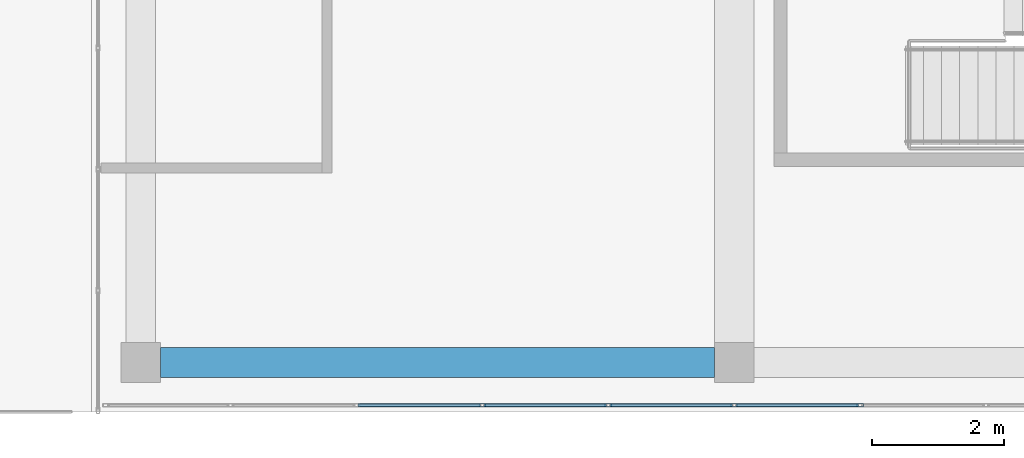
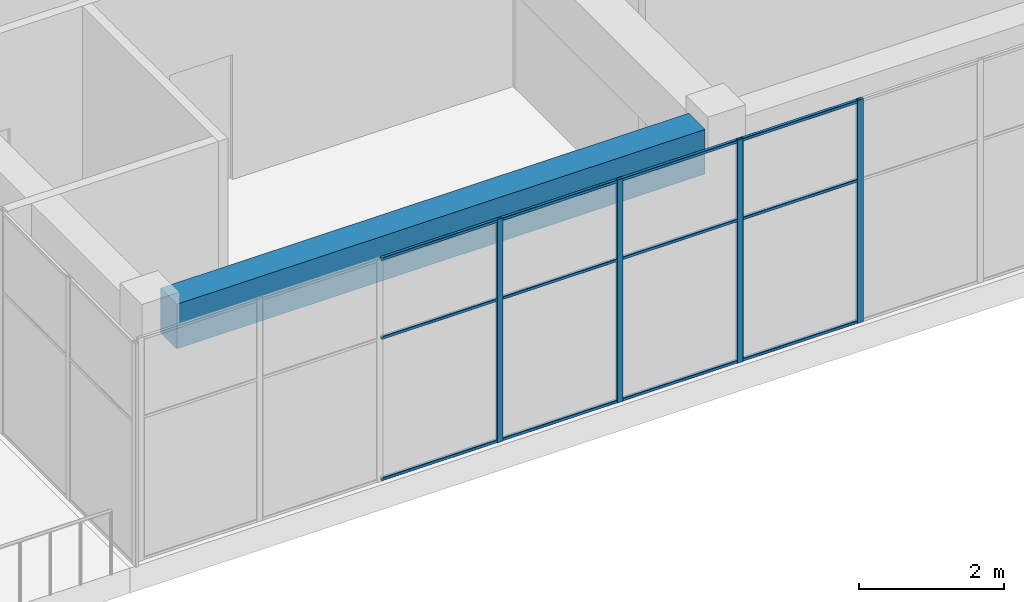
# One storey, part 4 of 32: 16 members, 1 beam, 1 element without a shape of its own.
"""IFC4 building model written with IfcOpenShell, lengths in metres."""

from ifc_helpers import new_model, si_unit, direction, frame, origin, origin_2d, place, context, subcontext, project, spatial, rectangle, hollow_rectangle, extrude, material, layer, layer_set, material_profile, profile_set, type_object, element, aggregate, save


model = new_model("IFC4")

# Units and contexts
model_context = context("Model", 3, precision=1e-05, world=origin(), true_north=direction((0.0, 1.0)))
body_context = subcontext(model_context, "Body", "Model", "MODEL_VIEW")
ifc_project = project(units=[si_unit("LENGTHUNIT", "METRE"), si_unit("AREAUNIT", "SQUARE_METRE"), si_unit("VOLUMEUNIT", "CUBIC_METRE"), si_unit("PLANEANGLEUNIT", "RADIAN"), si_unit("MASSUNIT", "GRAM", prefix="KILO")], contexts=[model_context])

# Site, building, storey
site_placement = place(None, origin())
site = spatial("IfcSite", under=ifc_project, at=site_placement, CompositionType="ELEMENT")
building_placement = place(site_placement, origin())
building = spatial("IfcBuilding", under=site, at=building_placement, Name="Tuart Plaza Theatre", CompositionType="ELEMENT")
storey_placement = place(building_placement, frame((0.0, 0.0, 41.5)))
storey = spatial("IfcBuildingStorey", under=building, at=storey_placement, Name="L10", CompositionType="ELEMENT", Elevation=41.5)

# Beam
ifc_material_1 = material(Name="Concrete N40 (40 MPa)", Category="concrete")
ifc_material_profile_1 = material_profile(ifc_material_1, rectangle(XDim=0.449951171875, YDim=0.75, at=origin_2d()), Name="BEAM 450x750 Concrete N40 (40 MPa)")
ifc_profile_set_1 = profile_set([ifc_material_profile_1], Name="Concrete N40 (40 MPa)")
beam_type = type_object("IfcBeamType", Name="BEAM 450x750 Concrete N40 (40 MPa)", PredefinedType="BEAM", material=ifc_profile_set_1)
beam_placement = place(storey_placement, frame((123.300048828125, 56.0, 3.375), z_axis=(1.0, 0.0, 0.0), x_axis=(0.0, 1.0, 0.0)))
element("IfcBeam", 1, at=beam_placement, inside=storey, type_object=beam_type, Name="RB297", PredefinedType="BEAM", context=body_context, shape_type="SweptSolid", body=[
    extrude(rectangle(XDim=0.449951171875, YDim=0.75, at=origin_2d()), origin(), (0.0, 0.0, 1.0), 8.39990234375),
])

# Curtain wall, members
ifc_material_2 = material(Name="Aluminium and glass", Category="aluminium")
ifc_layer = layer(ifc_material_2, 0.10009765625)
ifc_layer_set = layer_set([ifc_layer], Name="CURTAIN WALL 2000 module")
curtain_wall_type = type_object("IfcCurtainWallType", Name="CURTAIN WALL 2000 module", PredefinedType="NOTDEFINED", material=ifc_layer_set)
curtain_wall_placement = place(storey_placement, origin())
curtain_wall = element("IfcCurtainWall", 2, at=curtain_wall_placement, inside=storey, type_object=curtain_wall_type, Name="CW111", PredefinedType="NOTDEFINED")
ifc_material_3 = material(Name="Aluminium 6063-T5", Category="aluminium")
ifc_material_profile_2 = material_profile(ifc_material_3, hollow_rectangle(XDim=0.050048828125, YDim=0.10009765625, WallThickness=0.00390625, InnerFilletRadius=0.00390625, OuterFilletRadius=0.008056640625, at=origin_2d()), Name="RHS 100x50x4")
ifc_profile_set_2 = profile_set([ifc_material_profile_2], Name="Aluminium 6063-T5")
member_type_1 = type_object("IfcMemberType", Name="MULLION RHS 100x50x4", PredefinedType="MULLION", material=ifc_profile_set_2)
member_1_placement = place(storey_placement, frame((128.179931640625, 55.35009765625, 0.0), z_axis=(0.0, 0.0, 1.0), x_axis=(0.0, 1.0, 0.0)))
member_1 = element("IfcMember", 3, at=member_1_placement, type_object=member_type_1, Name="CW111 mullion 4", PredefinedType="MULLION", context=body_context, shape_type="SweptSolid", body=[
    extrude(hollow_rectangle(XDim=0.050048828125, YDim=0.10009765625, WallThickness=0.00390625, InnerFilletRadius=0.00390625, OuterFilletRadius=0.008056640625, at=origin_2d()), origin(), (0.0, 0.0, 1.0), 3.75),
])
member_2_placement = place(storey_placement, frame((130.090087890625, 55.35009765625, 0.0), z_axis=(0.0, 0.0, 1.0), x_axis=(0.0, 1.0, 0.0)))
member_2 = element("IfcMember", 4, at=member_2_placement, type_object=member_type_1, Name="CW111 mullion 5", PredefinedType="MULLION", context=body_context, shape_type="SweptSolid", body=[
    extrude(hollow_rectangle(XDim=0.050048828125, YDim=0.10009765625, WallThickness=0.00390625, InnerFilletRadius=0.00390625, OuterFilletRadius=0.008056640625, at=origin_2d()), origin(), (0.0, 0.0, 1.0), 3.75),
])
member_3_placement = place(storey_placement, frame((132.0, 55.35009765625, 0.0), z_axis=(0.0, 0.0, 1.0), x_axis=(0.0, 1.0, 0.0)))
member_3 = element("IfcMember", 5, at=member_3_placement, type_object=member_type_1, Name="CW111 mullion 6", PredefinedType="MULLION", context=body_context, shape_type="SweptSolid", body=[
    extrude(hollow_rectangle(XDim=0.050048828125, YDim=0.10009765625, WallThickness=0.00390625, InnerFilletRadius=0.00390625, OuterFilletRadius=0.008056640625, at=origin_2d()), origin(), (0.0, 0.0, 1.0), 3.75),
])
member_4_placement = place(storey_placement, frame((133.909912109375, 55.35009765625, 0.0), z_axis=(0.0, 0.0, 1.0), x_axis=(0.0, 1.0, 0.0)))
member_4 = element("IfcMember", 6, at=member_4_placement, type_object=member_type_1, Name="CW111 mullion 7", PredefinedType="MULLION", context=body_context, shape_type="SweptSolid", body=[
    extrude(hollow_rectangle(XDim=0.050048828125, YDim=0.10009765625, WallThickness=0.00390625, InnerFilletRadius=0.00390625, OuterFilletRadius=0.008056640625, at=origin_2d()), origin(), (0.0, 0.0, 1.0), 3.75),
])
ifc_material_4 = material(Name="Aluminium 6063-T5", Category="aluminium")
ifc_material_profile_3 = material_profile(ifc_material_4, hollow_rectangle(XDim=0.050048828125, YDim=0.050048828125, WallThickness=0.00390625, InnerFilletRadius=0.00390625, OuterFilletRadius=0.008056640625, at=origin_2d()), Name="RHS 50x50x4")
ifc_profile_set_3 = profile_set([ifc_material_profile_3], Name="Aluminium 6063-T5")
member_type_2 = type_object("IfcMemberType", Name="TRANSOM RHS 50x50x4", PredefinedType="USERDEFINED", material=ifc_profile_set_3)
member_5_placement = place(storey_placement, frame((126.294921875, 55.35009765625, 0.02490234375), z_axis=(1.0, 0.0, 0.0), x_axis=(0.0, 1.0, 0.0)))
member_5 = element("IfcMember", 7, at=member_5_placement, type_object=member_type_2, Name="CW111 transom 3.1", ObjectType="TRANSOM", PredefinedType="USERDEFINED", context=body_context, shape_type="SweptSolid", body=[
    extrude(hollow_rectangle(XDim=0.050048828125, YDim=0.050048828125, WallThickness=0.00390625, InnerFilletRadius=0.00390625, OuterFilletRadius=0.008056640625, at=origin_2d()), origin(), (0.0, 0.0, 1.0), 1.860107421875),
])
member_6_placement = place(storey_placement, frame((126.294921875, 55.35009765625, 2.39990234375), z_axis=(1.0, 0.0, 0.0), x_axis=(0.0, 1.0, 0.0)))
member_6 = element("IfcMember", 8, at=member_6_placement, type_object=member_type_2, Name="CW111 transom 3.2", ObjectType="TRANSOM", PredefinedType="USERDEFINED", context=body_context, shape_type="SweptSolid", body=[
    extrude(hollow_rectangle(XDim=0.050048828125, YDim=0.050048828125, WallThickness=0.00390625, InnerFilletRadius=0.00390625, OuterFilletRadius=0.008056640625, at=origin_2d()), origin(), (0.0, 0.0, 1.0), 1.860107421875),
])
member_7_placement = place(storey_placement, frame((126.294921875, 55.35009765625, 3.72509765625), z_axis=(1.0, 0.0, 0.0), x_axis=(0.0, 1.0, 0.0)))
member_7 = element("IfcMember", 9, at=member_7_placement, type_object=member_type_2, Name="CW111 transom 3.3", ObjectType="TRANSOM", PredefinedType="USERDEFINED", context=body_context, shape_type="SweptSolid", body=[
    extrude(hollow_rectangle(XDim=0.050048828125, YDim=0.050048828125, WallThickness=0.00390625, InnerFilletRadius=0.00390625, OuterFilletRadius=0.008056640625, at=origin_2d()), origin(), (0.0, 0.0, 1.0), 1.860107421875),
])
member_8_placement = place(storey_placement, frame((128.205078125, 55.35009765625, 0.02490234375), z_axis=(1.0, 0.0, 0.0), x_axis=(0.0, 1.0, 0.0)))
member_8 = element("IfcMember", 10, at=member_8_placement, type_object=member_type_2, Name="CW111 transom 4.1", ObjectType="TRANSOM", PredefinedType="USERDEFINED", context=body_context, shape_type="SweptSolid", body=[
    extrude(hollow_rectangle(XDim=0.050048828125, YDim=0.050048828125, WallThickness=0.00390625, InnerFilletRadius=0.00390625, OuterFilletRadius=0.008056640625, at=origin_2d()), origin(), (0.0, 0.0, 1.0), 1.85986328125),
])
member_9_placement = place(storey_placement, frame((128.205078125, 55.35009765625, 2.39990234375), z_axis=(1.0, 0.0, 0.0), x_axis=(0.0, 1.0, 0.0)))
member_9 = element("IfcMember", 11, at=member_9_placement, type_object=member_type_2, Name="CW111 transom 4.2", ObjectType="TRANSOM", PredefinedType="USERDEFINED", context=body_context, shape_type="SweptSolid", body=[
    extrude(hollow_rectangle(XDim=0.050048828125, YDim=0.050048828125, WallThickness=0.00390625, InnerFilletRadius=0.00390625, OuterFilletRadius=0.008056640625, at=origin_2d()), origin(), (0.0, 0.0, 1.0), 1.85986328125),
])
member_10_placement = place(storey_placement, frame((128.205078125, 55.35009765625, 3.72509765625), z_axis=(1.0, 0.0, 0.0), x_axis=(0.0, 1.0, 0.0)))
member_10 = element("IfcMember", 12, at=member_10_placement, type_object=member_type_2, Name="CW111 transom 4.3", ObjectType="TRANSOM", PredefinedType="USERDEFINED", context=body_context, shape_type="SweptSolid", body=[
    extrude(hollow_rectangle(XDim=0.050048828125, YDim=0.050048828125, WallThickness=0.00390625, InnerFilletRadius=0.00390625, OuterFilletRadius=0.008056640625, at=origin_2d()), origin(), (0.0, 0.0, 1.0), 1.85986328125),
])
member_11_placement = place(storey_placement, frame((130.114990234375, 55.35009765625, 0.02490234375), z_axis=(1.0, 0.0, 0.0), x_axis=(0.0, 1.0, 0.0)))
member_11 = element("IfcMember", 13, at=member_11_placement, type_object=member_type_2, Name="CW111 transom 5.1", ObjectType="TRANSOM", PredefinedType="USERDEFINED", context=body_context, shape_type="SweptSolid", body=[
    extrude(hollow_rectangle(XDim=0.050048828125, YDim=0.050048828125, WallThickness=0.00390625, InnerFilletRadius=0.00390625, OuterFilletRadius=0.008056640625, at=origin_2d()), origin(), (0.0, 0.0, 1.0), 1.860107421875),
])
member_12_placement = place(storey_placement, frame((130.114990234375, 55.35009765625, 2.39990234375), z_axis=(1.0, 0.0, 0.0), x_axis=(0.0, 1.0, 0.0)))
member_12 = element("IfcMember", 14, at=member_12_placement, type_object=member_type_2, Name="CW111 transom 5.2", ObjectType="TRANSOM", PredefinedType="USERDEFINED", context=body_context, shape_type="SweptSolid", body=[
    extrude(hollow_rectangle(XDim=0.050048828125, YDim=0.050048828125, WallThickness=0.00390625, InnerFilletRadius=0.00390625, OuterFilletRadius=0.008056640625, at=origin_2d()), origin(), (0.0, 0.0, 1.0), 1.860107421875),
])
member_13_placement = place(storey_placement, frame((130.114990234375, 55.35009765625, 3.72509765625), z_axis=(1.0, 0.0, 0.0), x_axis=(0.0, 1.0, 0.0)))
member_13 = element("IfcMember", 15, at=member_13_placement, type_object=member_type_2, Name="CW111 transom 5.3", ObjectType="TRANSOM", PredefinedType="USERDEFINED", context=body_context, shape_type="SweptSolid", body=[
    extrude(hollow_rectangle(XDim=0.050048828125, YDim=0.050048828125, WallThickness=0.00390625, InnerFilletRadius=0.00390625, OuterFilletRadius=0.008056640625, at=origin_2d()), origin(), (0.0, 0.0, 1.0), 1.860107421875),
])
member_14_placement = place(storey_placement, frame((132.02490234375, 55.35009765625, 0.02490234375), z_axis=(1.0, 0.0, 0.0), x_axis=(0.0, 1.0, 0.0)))
member_14 = element("IfcMember", 16, at=member_14_placement, type_object=member_type_2, Name="CW111 transom 6.1", ObjectType="TRANSOM", PredefinedType="USERDEFINED", context=body_context, shape_type="SweptSolid", body=[
    extrude(hollow_rectangle(XDim=0.050048828125, YDim=0.050048828125, WallThickness=0.00390625, InnerFilletRadius=0.00390625, OuterFilletRadius=0.008056640625, at=origin_2d()), origin(), (0.0, 0.0, 1.0), 1.860107421875),
])
member_15_placement = place(storey_placement, frame((132.02490234375, 55.35009765625, 2.39990234375), z_axis=(1.0, 0.0, 0.0), x_axis=(0.0, 1.0, 0.0)))
member_15 = element("IfcMember", 17, at=member_15_placement, type_object=member_type_2, Name="CW111 transom 6.2", ObjectType="TRANSOM", PredefinedType="USERDEFINED", context=body_context, shape_type="SweptSolid", body=[
    extrude(hollow_rectangle(XDim=0.050048828125, YDim=0.050048828125, WallThickness=0.00390625, InnerFilletRadius=0.00390625, OuterFilletRadius=0.008056640625, at=origin_2d()), origin(), (0.0, 0.0, 1.0), 1.860107421875),
])
member_16_placement = place(storey_placement, frame((132.02490234375, 55.35009765625, 3.72509765625), z_axis=(1.0, 0.0, 0.0), x_axis=(0.0, 1.0, 0.0)))
member_16 = element("IfcMember", 18, at=member_16_placement, type_object=member_type_2, Name="CW111 transom 6.3", ObjectType="TRANSOM", PredefinedType="USERDEFINED", context=body_context, shape_type="SweptSolid", body=[
    extrude(hollow_rectangle(XDim=0.050048828125, YDim=0.050048828125, WallThickness=0.00390625, InnerFilletRadius=0.00390625, OuterFilletRadius=0.008056640625, at=origin_2d()), origin(), (0.0, 0.0, 1.0), 1.860107421875),
])
aggregate(curtain_wall, [member_1, member_2, member_3, member_4, member_5, member_6, member_7, member_8, member_9, member_10, member_11, member_12, member_13, member_14, member_15, member_16])

save(model, "model.ifc")
